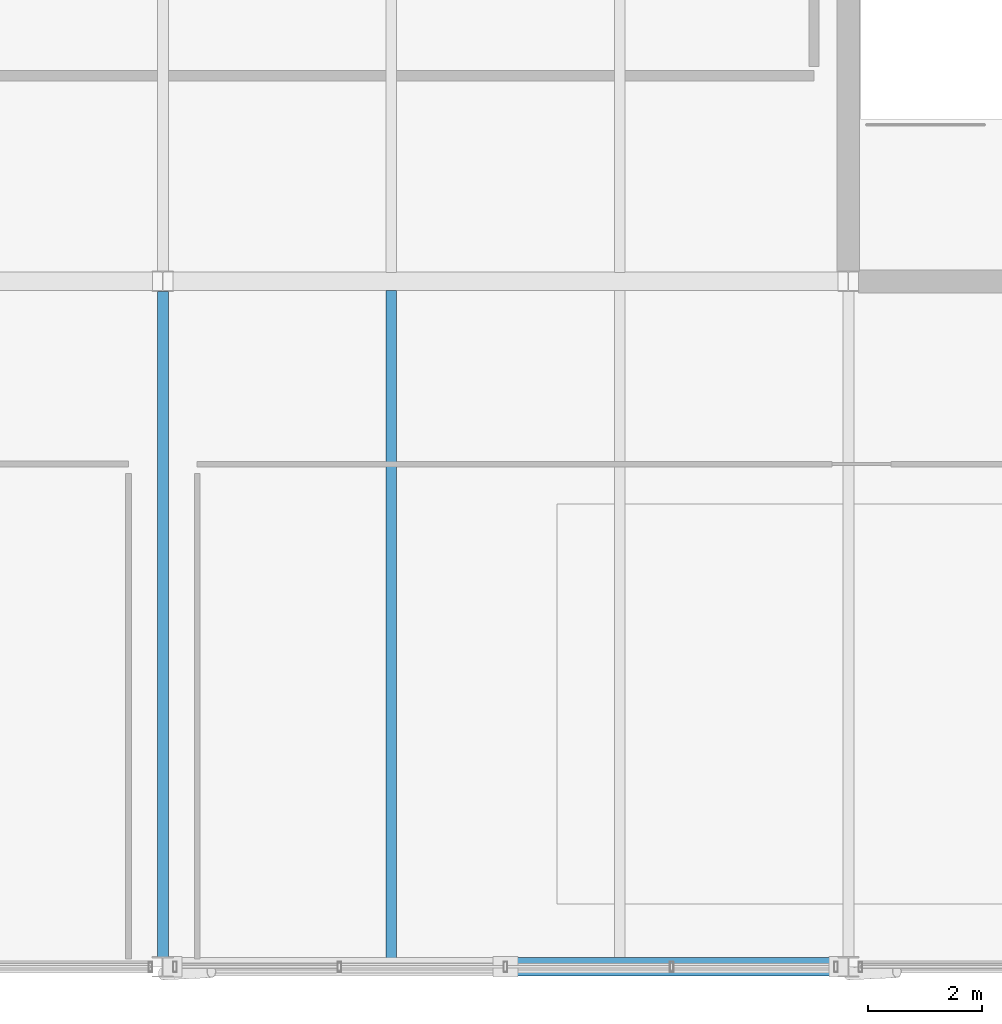
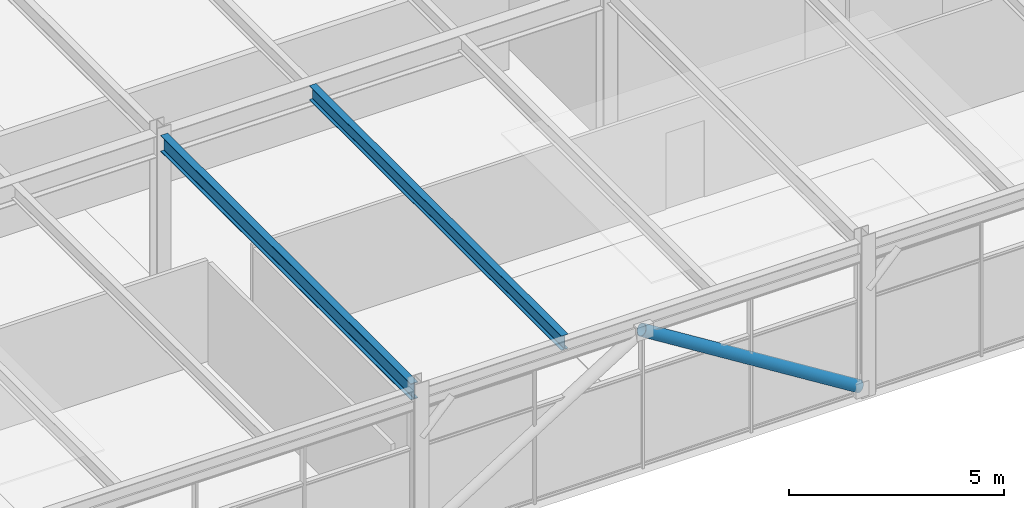
# One storey, part 17 of 28: 2 beams, 1 member.
"""IFC4 building model written with IfcOpenShell, lengths in metres."""

from ifc_helpers import new_model, si_unit, direction, frame, origin, origin_2d, place, context, subcontext, project, spatial, hollow_circle, i_section, extrude, material, material_profile, profile_set, type_object, element, save


model = new_model("IFC4")

# Units and contexts
model_context = context("Model", 3, precision=1e-05, world=origin(), true_north=direction((0.0, 1.0)))
body_context = subcontext(model_context, "Body", "Model", "MODEL_VIEW")
ifc_project = project(units=[si_unit("LENGTHUNIT", "METRE"), si_unit("AREAUNIT", "SQUARE_METRE"), si_unit("VOLUMEUNIT", "CUBIC_METRE"), si_unit("PLANEANGLEUNIT", "RADIAN"), si_unit("MASSUNIT", "GRAM", prefix="KILO")], contexts=[model_context])

# Site, building, storey
site_placement = place(None, origin())
site = spatial("IfcSite", under=ifc_project, at=site_placement, CompositionType="ELEMENT")
building_placement = place(site_placement, origin())
building = spatial("IfcBuilding", under=site, at=building_placement, Name="Girod Span Mobility Hub", CompositionType="ELEMENT")
storey_placement = place(building_placement, frame((0.0, 0.0, 69.60009765625)))
storey = spatial("IfcBuildingStorey", under=building, at=storey_placement, Name="L17", CompositionType="ELEMENT", Elevation=69.60009765625)

# Beams
ifc_material_1 = material(Name="Steel A992 Grade 50", Category="steel")
ifc_material_profile_1 = material_profile(ifc_material_1, i_section(OverallWidth=0.178955078125, OverallDepth=0.409912109375, WebThickness=0.0087890625, FlangeThickness=0.014404296875, FilletRadius=0.012939453125, at=origin_2d()), Name="W16X45")
ifc_profile_set_1 = profile_set([ifc_material_profile_1], Name="Steel A992 Grade 50")
beam_type_1 = type_object("IfcBeamType", Name="BM-STL-W16X45", PredefinedType="BEAM", material=ifc_profile_set_1)
beam_1_placement = place(storey_placement, frame((100.0, 45.10302734375, 4.1748046875), z_axis=(0.0, 1.0, 0.0), x_axis=(-1.0, 0.0, 0.0)))
element("IfcBeam", 1, at=beam_1_placement, inside=storey, type_object=beam_type_1, Name="Composite Floorbeam 9/D-1 L17", PredefinedType="BEAM", context=body_context, shape_type="SweptSolid", body=[
    extrude(i_section(OverallWidth=0.178955078125, OverallDepth=0.409912109375, WebThickness=0.0087890625, FlangeThickness=0.014404296875, FilletRadius=0.012939453125, at=origin_2d()), origin(), (0.0, 0.0, 1.0), 11.738037109375),
])
ifc_material_2 = material(Name="Steel A992 Grade 50", Category="steel")
ifc_material_profile_2 = material_profile(ifc_material_2, i_section(OverallWidth=0.19189453125, OverallDepth=0.462890625, WebThickness=0.010498046875, FlangeThickness=0.017578125, FilletRadius=0.013916015625, at=origin_2d()), Name="W18X60")
ifc_profile_set_2 = profile_set([ifc_material_profile_2], Name="Steel A992 Grade 50")
beam_type_2 = type_object("IfcBeamType", Name="BM-STL-W18X60", PredefinedType="BEAM", material=ifc_profile_set_2)
beam_2_placement = place(storey_placement, frame((96.0, 45.175048828125, 4.1484375), z_axis=(0.0, 1.0, 0.0), x_axis=(-1.0, 0.0, 0.0)))
element("IfcBeam", 2, at=beam_2_placement, inside=storey, type_object=beam_type_2, Name="Tie Girder 9/D-E L17", PredefinedType="BEAM", context=body_context, shape_type="SweptSolid", body=[
    extrude(i_section(OverallWidth=0.19189453125, OverallDepth=0.462890625, WebThickness=0.010498046875, FlangeThickness=0.017578125, FilletRadius=0.013916015625, at=origin_2d()), origin(), (0.0, 0.0, 1.0), 11.64990234375),
])

# Member
ifc_material_3 = material(Name="Steel HSS A500 Grade C", Category="steel")
ifc_material_profile_3 = material_profile(ifc_material_3, hollow_circle(Radius=0.162109375, WallThickness=0.01171875, at=origin_2d()), Name="HSS324X12.7")
ifc_profile_set_3 = profile_set([ifc_material_profile_3], Name="Steel HSS A500 Grade C")
member_type = type_object("IfcMemberType", Name="MB-BR-HSS324", PredefinedType="BRACE", material=ifc_profile_set_3)
member_placement = place(storey_placement, frame((107.83544921875, 45.0, 0.25), z_axis=(-0.848074041941, 0.0, 0.529877740036), x_axis=(0.0, -1.0, 0.0)))
element("IfcMember", 3, at=member_placement, inside=storey, type_object=member_type, Name="Upper Diagrid Brace 9/D-R L17", PredefinedType="BRACE", context=body_context, shape_type="SweptSolid", body=[
    extrude(hollow_circle(Radius=0.162109375, WallThickness=0.01171875, at=origin_2d()), origin(), (0.0, 0.0, 1.0), 6.880859375),
])

save(model, "model.ifc")
